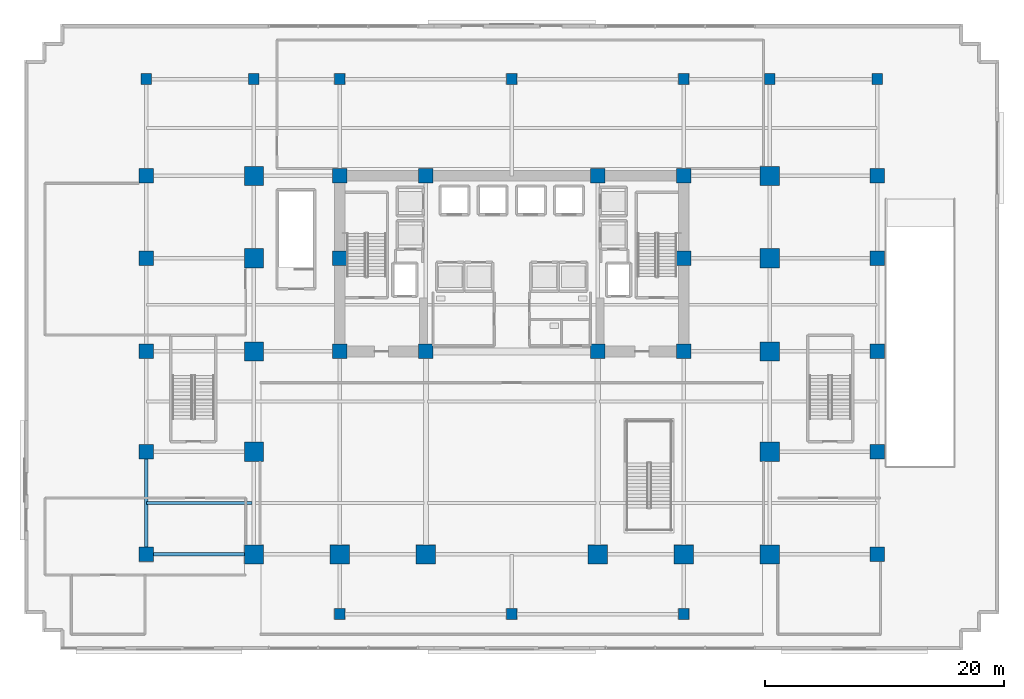
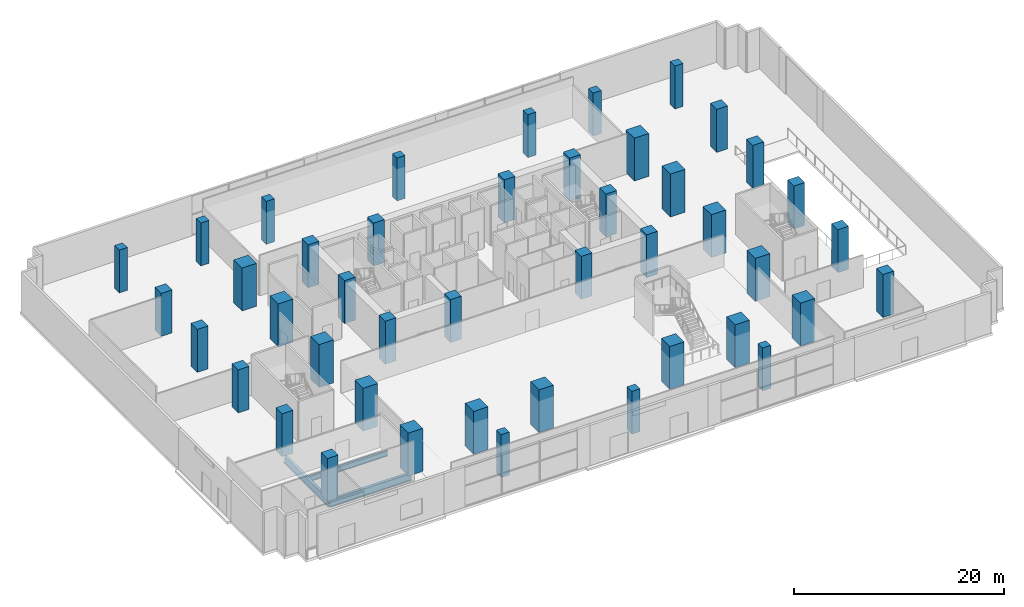
# One storey, part 1 of 27: 44 columns, 3 beams.
"""IFC4 building model written with IfcOpenShell, lengths in metres."""

from ifc_helpers import new_model, si_unit, direction, frame, origin, origin_2d, place, context, subcontext, project, spatial, rectangle, i_section, extrude, material, material_profile, profile_set, type_object, element, save


model = new_model("IFC4")

# Units and contexts
model_context = context("Model", 3, precision=1e-05, world=origin(), true_north=direction((0.0, 1.0)))
body_context = subcontext(model_context, "Body", "Model", "MODEL_VIEW")
ifc_project = project(units=[si_unit("LENGTHUNIT", "METRE"), si_unit("AREAUNIT", "SQUARE_METRE"), si_unit("VOLUMEUNIT", "CUBIC_METRE"), si_unit("PLANEANGLEUNIT", "RADIAN"), si_unit("MASSUNIT", "GRAM", prefix="KILO")], contexts=[model_context])

# Site, building, storey
site_placement = place(None, origin())
site = spatial("IfcSite", under=ifc_project, at=site_placement, CompositionType="ELEMENT")
building_placement = place(site_placement, origin())
building = spatial("IfcBuilding", under=site, at=building_placement, Name="Zarnakvel Exchange Tower", CompositionType="ELEMENT")
storey_placement = place(building_placement, origin())
storey = spatial("IfcBuildingStorey", under=building, at=storey_placement, Name="L00", CompositionType="ELEMENT", Elevation=0.0)

# Columns
ifc_material_1 = material(Name="Concrete C80/95", Category="concrete")
ifc_material_profile_1 = material_profile(ifc_material_1, rectangle(XDim=1.199951171875, YDim=1.199951171875, at=origin_2d()))
ifc_profile_set_1 = profile_set([ifc_material_profile_1], Name="Concrete C80/95")
column_type_1 = type_object("IfcColumnType", Name="CC-01", PredefinedType="COLUMN", material=ifc_profile_set_1)
for number, where, z_axis, x_axis, name in (
    (1, (-14.39990234375, -1.199951171875, 0.0), (0.0, 0.0, 1.0), (1.0, 0.0, 0.0), "L00 Column C-4D (CC-01)"),
    (2, (-7.199951171875, -1.199951171875, 0.0), (0.0, 0.0, 1.0), (1.0, 0.0, 0.0), "L00 Column C-5D (CC-01)"),
    (3, (7.199951171875, -1.199951171875, 0.0), (0.0, 0.0, 1.0), (1.0, 0.0, 0.0), "L00 Column C-8D (CC-01)"),
    (4, (14.39990234375, -1.199951171875, 0.0), (0.0, 0.0, 1.0), (1.0, 0.0, 0.0), "L00 Column C-9D (CC-01)"),
    (5, (-14.39990234375, 6.60009765625, 0.0), (0.0, 0.0, 1.0), (1.0, 0.0, 0.0), "L00 Column C-4E (CC-01)"),
    (6, (14.39990234375, 6.60009765625, 0.0), (0.0, 0.0, 1.0), (1.0, 0.0, 0.0), "L00 Column C-9E (CC-01)"),
    (7, (-14.39990234375, 13.5, 0.0), (0.0, 0.0, 1.0), (1.0, 0.0, 0.0), "L00 Column C-4F (CC-01)"),
    (8, (-7.199951171875, 13.5, 0.0), (0.0, 0.0, 1.0), (1.0, 0.0, 0.0), "L00 Column C-5F (CC-01)"),
    (9, (7.199951171875, 13.5, 0.0), (0.0, 0.0, 1.0), (1.0, 0.0, 0.0), "L00 Column C-8F (CC-01)"),
    (10, (14.39990234375, 13.5, 0.0), (0.0, 0.0, 1.0), (1.0, 0.0, 0.0), "L00 Column C-9F (CC-01)"),
):
    element("IfcColumn", number, at=place(storey_placement, frame(where, z_axis=z_axis, x_axis=x_axis)), inside=storey, type_object=column_type_1, Name=name, PredefinedType="COLUMN", context=body_context, shape_type="SweptSolid", body=[
        extrude(rectangle(XDim=1.199951171875, YDim=1.199951171875, at=origin_2d()), origin(), (0.0, 0.0, 1.0), 5.0),
    ])
ifc_material_profile_2 = material_profile(ifc_material_1, rectangle(XDim=1.60009765625, YDim=1.60009765625, at=origin_2d()))
ifc_profile_set_2 = profile_set([ifc_material_profile_2], Name="Concrete C80/95")
column_type_2 = type_object("IfcColumnType", Name="MC-01", PredefinedType="COLUMN", material=ifc_profile_set_2)
for number, where, z_axis, x_axis, name in (
    (11, (-21.60009765625, -18.199951171875, 0.0), (0.0, 0.0, 1.0), (1.0, 0.0, 0.0), "L00 Column M-3B (MC-01)"),
    (12, (-14.39990234375, -18.199951171875, 0.0), (0.0, 0.0, 1.0), (1.0, 0.0, 0.0), "L00 Column M-4B (MC-01)"),
    (13, (-7.199951171875, -18.199951171875, 0.0), (0.0, 0.0, 1.0), (1.0, 0.0, 0.0), "L00 Column M-5B (MC-01)"),
    (14, (7.199951171875, -18.199951171875, 0.0), (0.0, 0.0, 1.0), (1.0, 0.0, 0.0), "L00 Column M-8B (MC-01)"),
    (15, (14.39990234375, -18.199951171875, 0.0), (0.0, 0.0, 1.0), (1.0, 0.0, 0.0), "L00 Column M-9B (MC-01)"),
    (16, (21.60009765625, -18.199951171875, 0.0), (0.0, 0.0, 1.0), (1.0, 0.0, 0.0), "L00 Column M-10B (MC-01)"),
    (17, (-21.60009765625, -9.60009765625, 0.0), (0.0, 0.0, 1.0), (1.0, 0.0, 0.0), "L00 Column M-3C (MC-01)"),
    (18, (21.60009765625, -9.60009765625, 0.0), (0.0, 0.0, 1.0), (1.0, 0.0, 0.0), "L00 Column M-10C (MC-01)"),
    (19, (-21.60009765625, -1.199951171875, 0.0), (0.0, 0.0, 1.0), (1.0, 0.0, 0.0), "L00 Column M-3D (MC-01)"),
    (20, (21.60009765625, -1.199951171875, 0.0), (0.0, 0.0, 1.0), (1.0, 0.0, 0.0), "L00 Column M-10D (MC-01)"),
    (21, (-21.60009765625, 6.60009765625, 0.0), (0.0, 0.0, 1.0), (1.0, 0.0, 0.0), "L00 Column M-3E (MC-01)"),
    (22, (21.60009765625, 6.60009765625, 0.0), (0.0, 0.0, 1.0), (1.0, 0.0, 0.0), "L00 Column M-10E (MC-01)"),
    (23, (-21.60009765625, 13.5, 0.0), (0.0, 0.0, 1.0), (1.0, 0.0, 0.0), "L00 Column M-3F (MC-01)"),
    (24, (21.60009765625, 13.5, 0.0), (0.0, 0.0, 1.0), (1.0, 0.0, 0.0), "L00 Column M-10F (MC-01)"),
):
    element("IfcColumn", number, at=place(storey_placement, frame(where, z_axis=z_axis, x_axis=x_axis)), inside=storey, type_object=column_type_2, Name=name, PredefinedType="COLUMN", context=body_context, shape_type="SweptSolid", body=[
        extrude(rectangle(XDim=1.60009765625, YDim=1.60009765625, at=origin_2d()), origin(), (0.0, 0.0, 1.0), 5.0),
    ])
ifc_material_profile_3 = material_profile(ifc_material_1, rectangle(XDim=1.199951171875, YDim=1.199951171875, at=origin_2d()))
ifc_profile_set_3 = profile_set([ifc_material_profile_3], Name="Concrete C80/95")
column_type_3 = type_object("IfcColumnType", Name="MC-03", PredefinedType="COLUMN", material=ifc_profile_set_3)
for number, where, z_axis, x_axis, name in (
    (25, (-30.60009765625, -18.199951171875, 0.0), (0.0, 0.0, 1.0), (1.0, 0.0, 0.0), "L00 Column W-2B (MC-03)"),
    (26, (-30.60009765625, -9.60009765625, 0.0), (0.0, 0.0, 1.0), (1.0, 0.0, 0.0), "L00 Column W-2C (MC-03)"),
    (27, (-30.60009765625, -1.199951171875, 0.0), (0.0, 0.0, 1.0), (1.0, 0.0, 0.0), "L00 Column W-2D (MC-03)"),
    (28, (-30.60009765625, 6.60009765625, 0.0), (0.0, 0.0, 1.0), (1.0, 0.0, 0.0), "L00 Column W-2E (MC-03)"),
    (29, (-30.60009765625, 13.5, 0.0), (0.0, 0.0, 1.0), (1.0, 0.0, 0.0), "L00 Column W-2F (MC-03)"),
    (30, (30.60009765625, -18.199951171875, 0.0), (0.0, 0.0, 1.0), (1.0, 0.0, 0.0), "L00 Column W-11B (MC-03)"),
    (31, (30.60009765625, -9.60009765625, 0.0), (0.0, 0.0, 1.0), (1.0, 0.0, 0.0), "L00 Column W-11C (MC-03)"),
    (32, (30.60009765625, -1.199951171875, 0.0), (0.0, 0.0, 1.0), (1.0, 0.0, 0.0), "L00 Column W-11D (MC-03)"),
    (33, (30.60009765625, 6.60009765625, 0.0), (0.0, 0.0, 1.0), (1.0, 0.0, 0.0), "L00 Column W-11E (MC-03)"),
    (34, (30.60009765625, 13.5, 0.0), (0.0, 0.0, 1.0), (1.0, 0.0, 0.0), "L00 Column W-11F (MC-03)"),
):
    element("IfcColumn", number, at=place(storey_placement, frame(where, z_axis=z_axis, x_axis=x_axis)), inside=storey, type_object=column_type_3, Name=name, PredefinedType="COLUMN", context=body_context, shape_type="SweptSolid", body=[
        extrude(rectangle(XDim=1.199951171875, YDim=1.199951171875, at=origin_2d()), origin(), (0.0, 0.0, 1.0), 5.0),
    ])
ifc_material_2 = material(Name="Concrete C50/60", Category="concrete")
ifc_material_profile_4 = material_profile(ifc_material_2, rectangle(XDim=0.89990234375, YDim=0.89990234375, at=origin_2d()))
ifc_profile_set_4 = profile_set([ifc_material_profile_4], Name="Concrete C50/60")
column_type_4 = type_object("IfcColumnType", Name="MC-04", PredefinedType="COLUMN", material=ifc_profile_set_4)
for number, where, z_axis, x_axis, name in (
    (35, (-30.60009765625, 21.60009765625, 0.0), (0.0, 0.0, 1.0), (1.0, 0.0, 0.0), "L00 Column P-2G (MC-04)"),
    (36, (30.60009765625, 21.60009765625, 0.0), (0.0, 0.0, 1.0), (1.0, 0.0, 0.0), "L00 Column P-11G (MC-04)"),
    (37, (-21.60009765625, 21.60009765625, 0.0), (0.0, 0.0, 1.0), (1.0, 0.0, 0.0), "L00 Column P-3G (MC-04)"),
    (38, (21.60009765625, 21.60009765625, 0.0), (0.0, 0.0, 1.0), (1.0, 0.0, 0.0), "L00 Column P-10G (MC-04)"),
    (39, (-14.39990234375, -23.199951171875, 0.0), (0.0, 0.0, 1.0), (1.0, 0.0, 0.0), "L00 Column P-4A (MC-04)"),
    (40, (0.0, -23.199951171875, 0.0), (0.0, 0.0, 1.0), (1.0, 0.0, 0.0), "L00 Column P-65A (MC-04)"),
    (41, (14.39990234375, -23.199951171875, 0.0), (0.0, 0.0, 1.0), (1.0, 0.0, 0.0), "L00 Column P-9A (MC-04)"),
    (42, (-14.39990234375, 21.60009765625, 0.0), (0.0, 0.0, 1.0), (1.0, 0.0, 0.0), "L00 Column P-4G (MC-04)"),
    (43, (0.0, 21.60009765625, 0.0), (0.0, 0.0, 1.0), (1.0, 0.0, 0.0), "L00 Column P-65G (MC-04)"),
    (44, (14.39990234375, 21.60009765625, 0.0), (0.0, 0.0, 1.0), (1.0, 0.0, 0.0), "L00 Column P-9G (MC-04)"),
):
    element("IfcColumn", number, at=place(storey_placement, frame(where, z_axis=z_axis, x_axis=x_axis)), inside=storey, type_object=column_type_4, Name=name, PredefinedType="COLUMN", context=body_context, shape_type="SweptSolid", body=[
        extrude(rectangle(XDim=0.89990234375, YDim=0.89990234375, at=origin_2d()), origin(), (0.0, 0.0, 1.0), 5.0),
    ])

# Beams
ifc_material_3 = material(Name="Steel S355", Category="steel")
ifc_material_profile_5 = material_profile(ifc_material_3, i_section(OverallWidth=0.230224609375, OverallDepth=0.6171875, WebThickness=0.01318359375, FlangeThickness=0.022216796875, FilletRadius=0.0126953125, at=origin_2d()))
ifc_profile_set_5 = profile_set([ifc_material_profile_5], Name="Steel S355")
beam_type_1 = type_object("IfcBeamType", Name="B-02", PredefinedType="JOIST", material=ifc_profile_set_5)
beam_1_placement = place(storey_placement, frame((-30.60009765625, -13.89990234375, -0.608642578125), z_axis=(1.0, 0.0, 0.0), x_axis=(0.0, 1.0, 0.0)))
element("IfcBeam", 45, at=beam_1_placement, inside=storey, type_object=beam_type_1, Name="L00 Secondary Floor Joist", PredefinedType="JOIST", context=body_context, shape_type="SweptSolid", body=[
    extrude(i_section(OverallWidth=0.230224609375, OverallDepth=0.6171875, WebThickness=0.01318359375, FlangeThickness=0.022216796875, FilletRadius=0.0126953125, at=origin_2d()), origin(), (0.0, 0.0, 1.0), 8.85009765625),
])
ifc_material_profile_6 = material_profile(ifc_material_3, i_section(OverallWidth=0.300048828125, OverallDepth=0.89990234375, WebThickness=0.0185546875, FlangeThickness=0.034912109375, FilletRadius=0.030029296875, at=origin_2d()))
ifc_profile_set_6 = profile_set([ifc_material_profile_6], Name="Steel S355")
beam_type_2 = type_object("IfcBeamType", Name="G-01", PredefinedType="BEAM", material=ifc_profile_set_6)
beam_2_placement = place(storey_placement, frame((-30.60009765625, -18.199951171875, -0.75), z_axis=(1.0, 0.0, 0.0), x_axis=(0.0, 1.0, 0.0)))
element("IfcBeam", 46, at=beam_2_placement, inside=storey, type_object=beam_type_2, Name="L00 Primary E-W Girder Y=-18.2", PredefinedType="BEAM", context=body_context, shape_type="SweptSolid", body=[
    extrude(i_section(OverallWidth=0.300048828125, OverallDepth=0.89990234375, WebThickness=0.0185546875, FlangeThickness=0.034912109375, FilletRadius=0.030029296875, at=origin_2d()), origin(), (0.0, 0.0, 1.0), 9.0),
])
beam_3_placement = place(storey_placement, frame((-30.60009765625, -18.199951171875, -0.75), z_axis=(0.0, 1.0, 0.0), x_axis=(-1.0, 0.0, 0.0)))
element("IfcBeam", 47, at=beam_3_placement, inside=storey, type_object=beam_type_2, Name="L00 Primary N-S Girder X=-30.6", PredefinedType="BEAM", context=body_context, shape_type="SweptSolid", body=[
    extrude(i_section(OverallWidth=0.300048828125, OverallDepth=0.89990234375, WebThickness=0.0185546875, FlangeThickness=0.034912109375, FilletRadius=0.030029296875, at=origin_2d()), origin(), (0.0, 0.0, 1.0), 8.599853515625),
])

save(model, "model.ifc")
